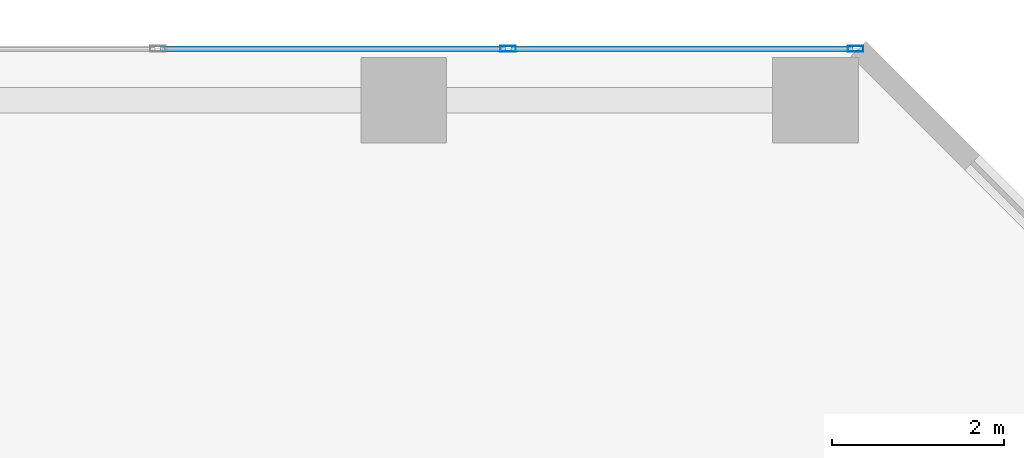
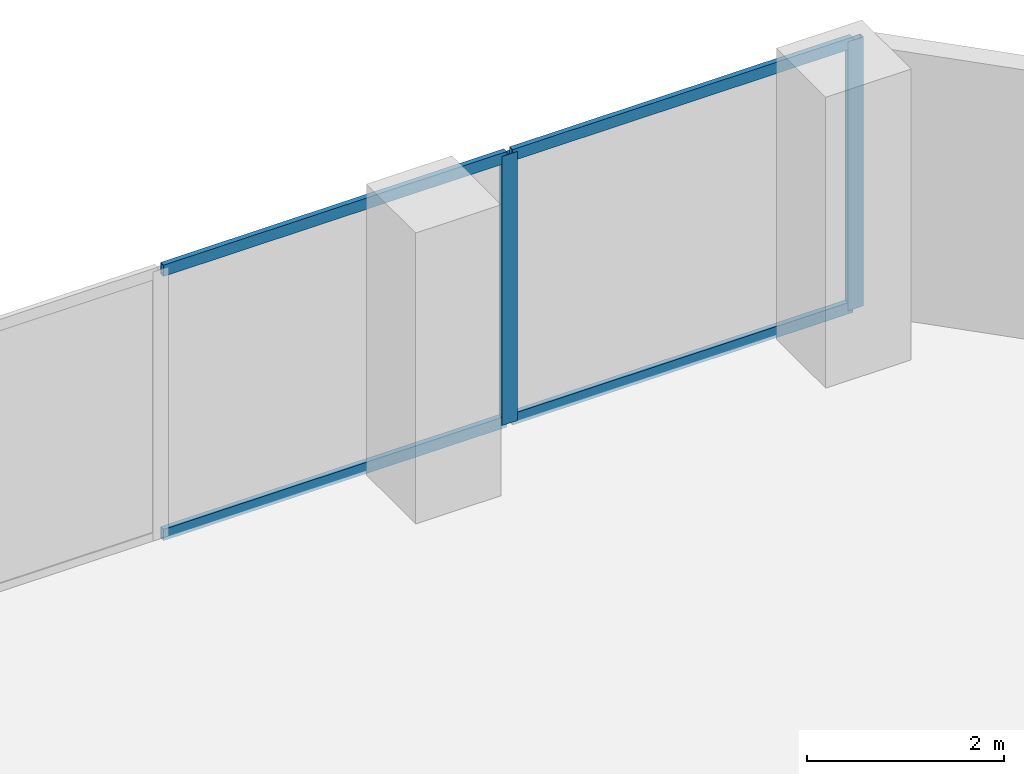
# One storey, part 25 of 31: 6 members, 1 element without a shape of its own.
"""IFC4 building model written with IfcOpenShell, lengths in metres."""

from ifc_helpers import new_model, si_unit, direction, frame, origin, origin_2d, place, context, subcontext, project, spatial, hollow_rectangle, extrude, material, layer, layer_set, material_profile, profile_set, type_object, element, aggregate, save


model = new_model("IFC4")

# Units and contexts
model_context = context("Model", 3, precision=1e-05, world=origin(), true_north=direction((0.0, 1.0)))
body_context = subcontext(model_context, "Body", "Model", "MODEL_VIEW")
ifc_project = project(units=[si_unit("LENGTHUNIT", "METRE"), si_unit("AREAUNIT", "SQUARE_METRE"), si_unit("VOLUMEUNIT", "CUBIC_METRE"), si_unit("PLANEANGLEUNIT", "RADIAN"), si_unit("MASSUNIT", "GRAM", prefix="KILO")], contexts=[model_context])

# Site, building, storey
site_placement = place(None, origin())
site = spatial("IfcSite", under=ifc_project, at=site_placement, CompositionType="ELEMENT")
building_placement = place(site_placement, origin())
building = spatial("IfcBuilding", under=site, at=building_placement, Name="Catumbela Crestline Tower", CompositionType="ELEMENT")
storey_placement = place(building_placement, frame((0.0, 0.0, 40.2)))
storey = spatial("IfcBuildingStorey", under=building, at=storey_placement, Name="L09", CompositionType="ELEMENT", Elevation=40.2)

# Curtain wall, members
ifc_material = material(Name="Aluminium alloy AW-6060-T66", Category="aluminium")
ifc_layer = layer(ifc_material, 0.18, Name="Aluminium alloy AW-6060-T66")
ifc_layer_set = layer_set([ifc_layer], Name="Aluminium alloy AW-6060-T66")
curtain_wall_type = type_object("IfcCurtainWallType", Name="CWU-Z1", PredefinedType="USERDEFINED", material=ifc_layer_set)
curtain_wall_placement = place(storey_placement, origin())
curtain_wall = element("IfcCurtainWall", 1, at=curtain_wall_placement, inside=storey, type_object=curtain_wall_type, Name="L09 Unitised Curtain Wall CW-L09-E7S1", ObjectType="UNITISED", PredefinedType="USERDEFINED")
ifc_material_profile_1 = material_profile(ifc_material, hollow_rectangle(XDim=0.065, YDim=0.18, WallThickness=0.004, at=origin_2d()), Name="ALU 180x65x4")
ifc_profile_set_1 = profile_set([ifc_material_profile_1], Name="Aluminium alloy AW-6060-T66")
member_type_1 = type_object("IfcMemberType", Name="MUL-180X65", PredefinedType="MULLION", material=ifc_profile_set_1)
member_1_placement = place(storey_placement, frame((52.4675, 48.0, 0.0), z_axis=(0.0, 0.0, 1.0), x_axis=(0.0, -1.0, 0.0)))
member_1 = element("IfcMember", 2, at=member_1_placement, type_object=member_type_1, Name="CWU-Z1 mullion 1", PredefinedType="MULLION", context=body_context, shape_type="SweptSolid", body=[
    extrude(hollow_rectangle(XDim=0.065, YDim=0.18, WallThickness=0.004, at=origin_2d()), origin(), (0.0, 0.0, 1.0), 3.33),
])
member_2_placement = place(storey_placement, frame((48.4167, 48.0, 0.0), z_axis=(0.0, 0.0, 1.0), x_axis=(0.0, -1.0, 0.0)))
member_2 = element("IfcMember", 3, at=member_2_placement, type_object=member_type_1, Name="CWU-Z1 mullion 2", PredefinedType="MULLION", context=body_context, shape_type="SweptSolid", body=[
    extrude(hollow_rectangle(XDim=0.065, YDim=0.18, WallThickness=0.004, at=origin_2d()), origin(), (0.0, 0.0, 1.0), 3.33),
])
ifc_material_profile_2 = material_profile(ifc_material, hollow_rectangle(XDim=0.06, YDim=0.14, WallThickness=0.004, at=origin_2d()), Name="ALU 140x60x4")
ifc_profile_set_2 = profile_set([ifc_material_profile_2], Name="Aluminium alloy AW-6060-T66")
member_type_2 = type_object("IfcMemberType", Name="TRN-140X60", PredefinedType="USERDEFINED", material=ifc_profile_set_2)
member_3_placement = place(storey_placement, frame((52.435, 48.0, 0.03), z_axis=(-1.0, 0.0, 0.0), x_axis=(0.0, -1.0, 0.0)))
member_3 = element("IfcMember", 4, at=member_3_placement, type_object=member_type_2, Name="CWU-Z1 transom 1.1", ObjectType="TRANSOM", PredefinedType="USERDEFINED", context=body_context, shape_type="SweptSolid", body=[
    extrude(hollow_rectangle(XDim=0.06, YDim=0.14, WallThickness=0.004, at=origin_2d()), origin(), (0.0, 0.0, 1.0), 3.9858),
])
member_4_placement = place(storey_placement, frame((52.435, 48.0, 3.3), z_axis=(-1.0, 0.0, 0.0), x_axis=(0.0, -1.0, 0.0)))
member_4 = element("IfcMember", 5, at=member_4_placement, type_object=member_type_2, Name="CWU-Z1 transom 1.2", ObjectType="TRANSOM", PredefinedType="USERDEFINED", context=body_context, shape_type="SweptSolid", body=[
    extrude(hollow_rectangle(XDim=0.06, YDim=0.14, WallThickness=0.004, at=origin_2d()), origin(), (0.0, 0.0, 1.0), 3.9858),
])
member_5_placement = place(storey_placement, frame((48.3842, 48.0, 0.03), z_axis=(-1.0, 0.0, 0.0), x_axis=(0.0, -1.0, 0.0)))
member_5 = element("IfcMember", 6, at=member_5_placement, type_object=member_type_2, Name="CWU-Z1 transom 2.1", ObjectType="TRANSOM", PredefinedType="USERDEFINED", context=body_context, shape_type="SweptSolid", body=[
    extrude(hollow_rectangle(XDim=0.06, YDim=0.14, WallThickness=0.004, at=origin_2d()), origin(), (0.0, 0.0, 1.0), 4.0184),
])
member_6_placement = place(storey_placement, frame((48.3842, 48.0, 3.3), z_axis=(-1.0, 0.0, 0.0), x_axis=(0.0, -1.0, 0.0)))
member_6 = element("IfcMember", 7, at=member_6_placement, type_object=member_type_2, Name="CWU-Z1 transom 2.2", ObjectType="TRANSOM", PredefinedType="USERDEFINED", context=body_context, shape_type="SweptSolid", body=[
    extrude(hollow_rectangle(XDim=0.06, YDim=0.14, WallThickness=0.004, at=origin_2d()), origin(), (0.0, 0.0, 1.0), 4.0184),
])
aggregate(curtain_wall, [member_1, member_2, member_3, member_4, member_5, member_6])

save(model, "model.ifc")
